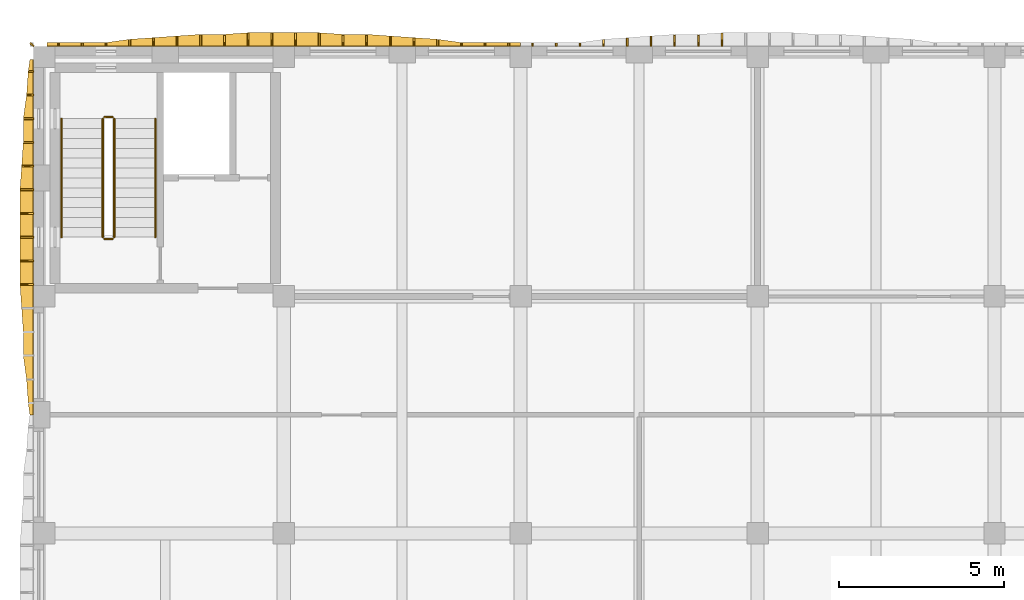
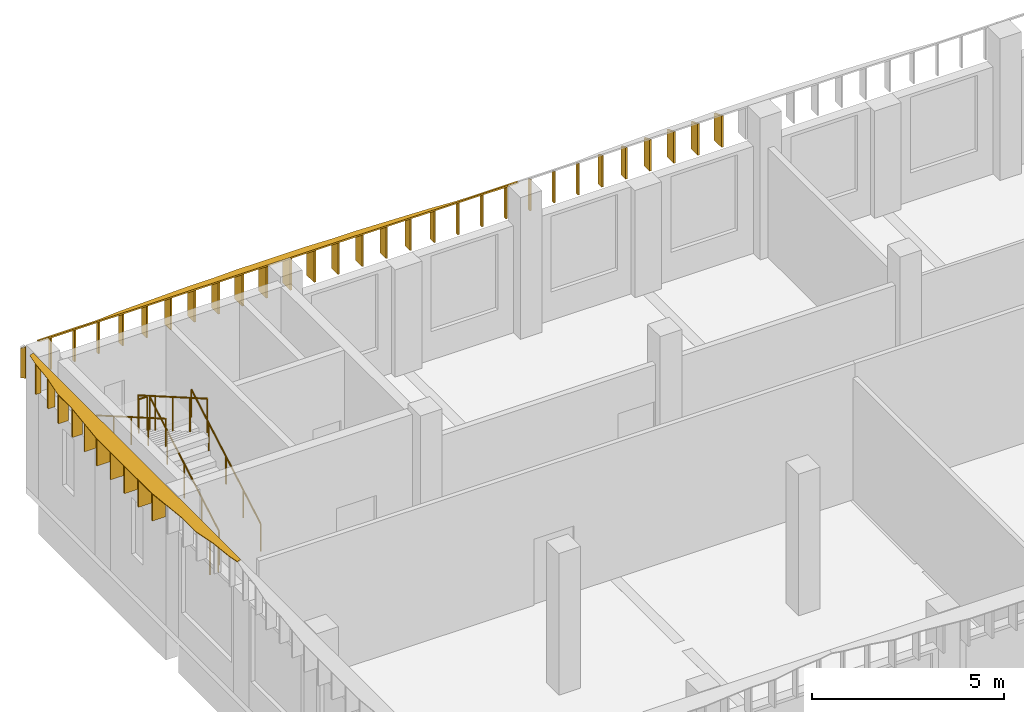
# One storey, part 39 of 54: 42 shading devices, 6 railings.
"""IFC4 building model written with IfcOpenShell, lengths in metres."""

from ifc_helpers import new_model, si_unit, direction, frame, origin, origin_2d, place, context, subcontext, project, spatial, polyline, circle, outline, extrude, material, layer, layer_set, type_object, element, save


model = new_model("IFC4")

# Units and contexts
model_context = context("Model", 3, precision=1e-05, world=origin(), true_north=direction((0.0, 1.0)))
body_context = subcontext(model_context, "Body", "Model", "MODEL_VIEW")
ifc_project = project(units=[si_unit("LENGTHUNIT", "METRE"), si_unit("AREAUNIT", "SQUARE_METRE"), si_unit("VOLUMEUNIT", "CUBIC_METRE"), si_unit("PLANEANGLEUNIT", "RADIAN"), si_unit("MASSUNIT", "GRAM", prefix="KILO")], contexts=[model_context])

# Site, building, storey
site_placement = place(None, origin())
site = spatial("IfcSite", under=ifc_project, at=site_placement, CompositionType="ELEMENT")
building_placement = place(site_placement, origin())
building = spatial("IfcBuilding", under=site, at=building_placement, Name="Ussher Court Research Institute", CompositionType="ELEMENT")
storey_placement = place(building_placement, frame((0.0, 0.0, 14.39990234375)))
storey = spatial("IfcBuildingStorey", under=building, at=storey_placement, Name="L03", CompositionType="ELEMENT", Elevation=14.39990234375)

# Shading devices
ifc_material_1 = material(Name="Bronze anodised aluminium", Category="aluminium")
ifc_layer_1 = layer(ifc_material_1, 0.050048828125)
ifc_layer_set_1 = layer_set([ifc_layer_1], Name="Bronze anodised aluminium")
shading_device_type_1 = type_object("IfcShadingDeviceType", Name="Brim blade 100 mm deep 1000 mm high canted 20 deg dry", PredefinedType="USERDEFINED", material=ifc_layer_set_1)
for number, where, z_axis, x_axis, name in (
    (1, (3.360107421875, 90.800048828125, 3.4501953125), (0.0, 0.0, 1.0), (0.0, 1.0, 0.0), "Brim blade BS17 L03"),
    (2, (4.080078125, 90.800048828125, 3.4501953125), (0.0, 0.0, 1.0), (0.0, 1.0, 0.0), "Brim blade BS17 L03"),
    (3, (4.800048828125, 90.800048828125, 3.4501953125), (0.0, 0.0, 1.0), (0.0, 1.0, 0.0), "Brim blade BS17 L03"),
    (4, (15.60009765625, 90.800048828125, 3.4501953125), (0.0, 0.0, 1.0), (0.0, 1.0, 0.0), "Brim blade BS17 L03"),
    (5, (16.320068359375, 90.800048828125, 3.4501953125), (0.0, 0.0, 1.0), (0.0, 1.0, 0.0), "Brim blade BS17 L03"),
    (6, (17.0400390625, 90.800048828125, 3.4501953125), (0.0, 0.0, 1.0), (0.0, 1.0, 0.0), "Brim blade BS17 L03"),
    (7, (17.760009765625, 90.800048828125, 3.4501953125), (0.0, 0.0, 1.0), (0.0, 1.0, 0.0), "Brim blade BS17 L03"),
    (8, (18.47998046875, 90.800048828125, 3.4501953125), (0.0, 0.0, 1.0), (0.0, 1.0, 0.0), "Brim blade BS17 L03"),
    (9, (19.199951171875, 90.800048828125, 3.4501953125), (0.0, 0.0, 1.0), (0.0, 1.0, 0.0), "Brim blade BS17 L03"),
):
    element("IfcShadingDevice", number, at=place(storey_placement, frame(where, z_axis=z_axis, x_axis=x_axis)), inside=storey, type_object=shading_device_type_1, Name=name, ObjectType="BLADE", PredefinedType="USERDEFINED", context=body_context, shape_type="SweptSolid", body=[
        extrude(outline(polyline([(0.0, 0.0), (0.099853515625, 0.0), (0.10009765625, 0.963623046875), (0.0, 1.0), (0.0, 0.0)])), frame((0.0, 0.02490234375, 0.0), z_axis=(0.0, -1.0, 0.0), x_axis=(1.0, 0.0, 0.0)), (0.0, 0.0, 1.0), 0.050048828125),
    ])
ifc_material_2 = material(Name="Bronze anodised aluminium", Category="aluminium")
ifc_layer_2 = layer(ifc_material_2, 0.050048828125)
ifc_layer_set_2 = layer_set([ifc_layer_2], Name="Bronze anodised aluminium")
shading_device_type_2 = type_object("IfcShadingDeviceType", Name="Brim blade 150 mm deep 1000 mm high canted 20 deg dry", PredefinedType="USERDEFINED", material=ifc_layer_set_2)
shading_device_1_placement = place(storey_placement, frame((2.60009765625, 90.0400390625, 3.4501953125), z_axis=(0.0, 0.0, 1.0), x_axis=(-1.0, 0.0, 0.0)))
element("IfcShadingDevice", 10, at=shading_device_1_placement, inside=storey, type_object=shading_device_type_2, Name="Brim blade BS16 L03", ObjectType="BLADE", PredefinedType="USERDEFINED", context=body_context, shape_type="SweptSolid", body=[
    extrude(outline(polyline([(0.0, 0.0), (0.150146484375, 0.0), (0.14990234375, 0.9453125), (0.0, 1.0), (0.0, 0.0)])), frame((0.0, 0.02490234375, 0.0), z_axis=(0.0, -1.0, 0.0), x_axis=(1.0, 0.0, 0.0)), (0.0, 0.0, 1.0), 0.050048828125),
])
ifc_material_3 = material(Name="Bronze anodised aluminium", Category="aluminium")
ifc_layer_3 = layer(ifc_material_3, 0.050048828125)
ifc_layer_set_3 = layer_set([ifc_layer_3], Name="Bronze anodised aluminium")
shading_device_type_3 = type_object("IfcShadingDeviceType", Name="Brim blade 200 mm deep 1000 mm high canted 20 deg dry", PredefinedType="USERDEFINED", material=ifc_layer_set_3)
for number, where, z_axis, x_axis, name in (
    (11, (5.52001953125, 90.800048828125, 3.4501953125), (0.0, 0.0, 1.0), (0.0, 1.0, 0.0), "Brim blade BS15 L03"),
    (12, (14.8798828125, 90.800048828125, 3.4501953125), (0.0, 0.0, 1.0), (0.0, 1.0, 0.0), "Brim blade BS15 L03"),
    (13, (19.919921875, 90.800048828125, 3.4501953125), (0.0, 0.0, 1.0), (0.0, 1.0, 0.0), "Brim blade BS15 L03"),
):
    element("IfcShadingDevice", number, at=place(storey_placement, frame(where, z_axis=z_axis, x_axis=x_axis)), inside=storey, type_object=shading_device_type_3, Name=name, ObjectType="BLADE", PredefinedType="USERDEFINED", context=body_context, shape_type="SweptSolid", body=[
        extrude(outline(polyline([(0.0, 0.0), (0.199951171875, 0.0), (0.199951171875, 0.927001953125), (0.0, 1.0), (0.0, 0.0)])), frame((0.0, 0.02490234375, 0.0), z_axis=(0.0, -1.0, 0.0), x_axis=(1.0, 0.0, 0.0)), (0.0, 0.0, 1.0), 0.050048828125),
    ])
shading_device_2_placement = place(storey_placement, frame((2.60009765625, 89.320068359375, 3.4501953125), z_axis=(0.0, 0.0, 1.0), x_axis=(-1.0, 0.0, 0.0)))
element("IfcShadingDevice", 14, at=shading_device_2_placement, inside=storey, type_object=shading_device_type_3, Name="Brim blade BS15 L03", ObjectType="BLADE", PredefinedType="USERDEFINED", context=body_context, shape_type="SweptSolid", body=[
    extrude(outline(polyline([(0.0, 0.0), (0.2001953125, 0.0), (0.199951171875, 0.927001953125), (0.0, 1.0), (0.0, 0.0)])), frame((0.0, 0.02490234375, 0.0), z_axis=(0.0, -1.0, 0.0), x_axis=(1.0, 0.0, 0.0)), (0.0, 0.0, 1.0), 0.050048828125),
])
ifc_material_4 = material(Name="Bronze anodised aluminium", Category="aluminium")
ifc_layer_4 = layer(ifc_material_4, 0.050048828125)
ifc_layer_set_4 = layer_set([ifc_layer_4], Name="Bronze anodised aluminium")
shading_device_type_4 = type_object("IfcShadingDeviceType", Name="Brim blade 250 mm deep 1000 mm high canted 20 deg dry", PredefinedType="USERDEFINED", material=ifc_layer_set_4)
for number, where, z_axis, x_axis, name in (
    (15, (6.239990234375, 90.800048828125, 3.4501953125), (0.0, 0.0, 1.0), (0.0, 1.0, 0.0), "Brim blade BS14 L03"),
    (16, (14.159912109375, 90.800048828125, 3.4501953125), (0.0, 0.0, 1.0), (0.0, 1.0, 0.0), "Brim blade BS14 L03"),
    (17, (20.639892578125, 90.800048828125, 3.4501953125), (0.0, 0.0, 1.0), (0.0, 1.0, 0.0), "Brim blade BS14 L03"),
):
    element("IfcShadingDevice", number, at=place(storey_placement, frame(where, z_axis=z_axis, x_axis=x_axis)), inside=storey, type_object=shading_device_type_4, Name=name, ObjectType="BLADE", PredefinedType="USERDEFINED", context=body_context, shape_type="SweptSolid", body=[
        extrude(outline(polyline([(0.0, 0.0), (0.25, 0.0), (0.25, 0.908935546875), (0.0, 1.0), (0.0, 0.0)])), frame((0.0, 0.02490234375, 0.0), z_axis=(0.0, -1.0, 0.0), x_axis=(1.0, 0.0, 0.0)), (0.0, 0.0, 1.0), 0.050048828125),
    ])
ifc_material_5 = material(Name="Bronze anodised aluminium", Category="aluminium")
ifc_layer_5 = layer(ifc_material_5, 0.050048828125)
ifc_layer_set_5 = layer_set([ifc_layer_5], Name="Bronze anodised aluminium")
shading_device_type_5 = type_object("IfcShadingDeviceType", Name="Brim blade 300 mm deep 1000 mm high canted 20 deg dry", PredefinedType="USERDEFINED", material=ifc_layer_set_5)
for number, where, z_axis, x_axis, name in (
    (18, (6.9599609375, 90.800048828125, 3.4501953125), (0.0, 0.0, 1.0), (0.0, 1.0, 0.0), "Brim blade BS13 L03"),
    (19, (13.43994140625, 90.800048828125, 3.4501953125), (0.0, 0.0, 1.0), (0.0, 1.0, 0.0), "Brim blade BS13 L03"),
    (20, (21.360107421875, 90.800048828125, 3.4501953125), (0.0, 0.0, 1.0), (0.0, 1.0, 0.0), "Brim blade BS13 L03"),
    (21, (2.60009765625, 87.8798828125, 3.4501953125), (0.0, 0.0, 1.0), (-1.0, 0.0, 0.0), "Brim blade BS13 L03"),
    (22, (2.60009765625, 88.60009765625, 3.4501953125), (0.0, 0.0, 1.0), (-1.0, 0.0, 0.0), "Brim blade BS13 L03"),
):
    element("IfcShadingDevice", number, at=place(storey_placement, frame(where, z_axis=z_axis, x_axis=x_axis)), inside=storey, type_object=shading_device_type_5, Name=name, ObjectType="BLADE", PredefinedType="USERDEFINED", context=body_context, shape_type="SweptSolid", body=[
        extrude(outline(polyline([(0.0, 0.0), (0.300048828125, 0.0), (0.300048828125, 0.890625), (0.0, 1.0), (0.0, 0.0)])), frame((0.0, 0.02490234375, 0.0), z_axis=(0.0, -1.0, 0.0), x_axis=(1.0, 0.0, 0.0)), (0.0, 0.0, 1.0), 0.050048828125),
    ])
ifc_material_6 = material(Name="Bronze anodised aluminium", Category="aluminium")
ifc_layer_6 = layer(ifc_material_6, 0.050048828125)
ifc_layer_set_6 = layer_set([ifc_layer_6], Name="Bronze anodised aluminium")
shading_device_type_6 = type_object("IfcShadingDeviceType", Name="Brim blade 350 mm deep 1000 mm high canted 20 deg dry", PredefinedType="USERDEFINED", material=ifc_layer_set_6)
for number, where, z_axis, x_axis, name in (
    (23, (7.679931640625, 90.800048828125, 3.4501953125), (0.0, 0.0, 1.0), (0.0, 1.0, 0.0), "Brim blade BS12 L03"),
    (24, (8.39990234375, 90.800048828125, 3.4501953125), (0.0, 0.0, 1.0), (0.0, 1.0, 0.0), "Brim blade BS12 L03"),
    (25, (12.0, 90.800048828125, 3.4501953125), (0.0, 0.0, 1.0), (0.0, 1.0, 0.0), "Brim blade BS12 L03"),
    (26, (12.719970703125, 90.800048828125, 3.4501953125), (0.0, 0.0, 1.0), (0.0, 1.0, 0.0), "Brim blade BS12 L03"),
    (27, (22.080078125, 90.800048828125, 3.4501953125), (0.0, 0.0, 1.0), (0.0, 1.0, 0.0), "Brim blade BS12 L03"),
    (28, (22.800048828125, 90.800048828125, 3.4501953125), (0.0, 0.0, 1.0), (0.0, 1.0, 0.0), "Brim blade BS12 L03"),
):
    element("IfcShadingDevice", number, at=place(storey_placement, frame(where, z_axis=z_axis, x_axis=x_axis)), inside=storey, type_object=shading_device_type_6, Name=name, ObjectType="BLADE", PredefinedType="USERDEFINED", context=body_context, shape_type="SweptSolid", body=[
        extrude(outline(polyline([(0.0, 0.0), (0.349853515625, 0.0), (0.35009765625, 0.87255859375), (0.0, 1.0), (0.0, 0.0)])), frame((0.0, 0.02490234375, 0.0), z_axis=(0.0, -1.0, 0.0), x_axis=(1.0, 0.0, 0.0)), (0.0, 0.0, 1.0), 0.050048828125),
    ])
shading_device_3_placement = place(storey_placement, frame((2.60009765625, 87.159912109375, 3.4501953125), z_axis=(0.0, 0.0, 1.0), x_axis=(-1.0, 0.0, 0.0)))
element("IfcShadingDevice", 29, at=shading_device_3_placement, inside=storey, type_object=shading_device_type_6, Name="Brim blade BS12 L03", ObjectType="BLADE", PredefinedType="USERDEFINED", context=body_context, shape_type="SweptSolid", body=[
    extrude(outline(polyline([(0.0, 0.0), (0.35009765625, 0.0), (0.35009765625, 0.87255859375), (0.0, 1.0), (0.0, 0.0)])), frame((0.0, 0.02490234375, 0.0), z_axis=(0.0, -1.0, 0.0), x_axis=(1.0, 0.0, 0.0)), (0.0, 0.0, 1.0), 0.050048828125),
])
ifc_material_7 = material(Name="Bronze anodised aluminium", Category="aluminium")
ifc_layer_7 = layer(ifc_material_7, 0.050048828125)
ifc_layer_set_7 = layer_set([ifc_layer_7], Name="Bronze anodised aluminium")
shading_device_type_7 = type_object("IfcShadingDeviceType", Name="Brim blade 400 mm deep 1000 mm high canted 20 deg dry", PredefinedType="USERDEFINED", material=ifc_layer_set_7)
for number, where, z_axis, x_axis, name in (
    (30, (9.1201171875, 90.800048828125, 3.4501953125), (0.0, 0.0, 1.0), (0.0, 1.0, 0.0), "Brim blade BS11 L03"),
    (31, (9.840087890625, 90.800048828125, 3.4501953125), (0.0, 0.0, 1.0), (0.0, 1.0, 0.0), "Brim blade BS11 L03"),
    (32, (10.56005859375, 90.800048828125, 3.4501953125), (0.0, 0.0, 1.0), (0.0, 1.0, 0.0), "Brim blade BS11 L03"),
    (33, (11.280029296875, 90.800048828125, 3.4501953125), (0.0, 0.0, 1.0), (0.0, 1.0, 0.0), "Brim blade BS11 L03"),
    (34, (23.52001953125, 90.800048828125, 3.4501953125), (0.0, 0.0, 1.0), (0.0, 1.0, 0.0), "Brim blade BS11 L03"),
):
    element("IfcShadingDevice", number, at=place(storey_placement, frame(where, z_axis=z_axis, x_axis=x_axis)), inside=storey, type_object=shading_device_type_7, Name=name, ObjectType="BLADE", PredefinedType="USERDEFINED", context=body_context, shape_type="SweptSolid", body=[
        extrude(outline(polyline([(0.0, 0.0), (0.39990234375, 0.0), (0.39990234375, 0.854248046875), (0.0, 1.0), (0.0, 0.0)])), frame((0.0, 0.02490234375, 0.0), z_axis=(0.0, -1.0, 0.0), x_axis=(1.0, 0.0, 0.0)), (0.0, 0.0, 1.0), 0.050048828125),
    ])
for number, where, z_axis, x_axis, name in (
    (35, (2.60009765625, 83.56005859375, 3.4501953125), (0.0, 0.0, 1.0), (-1.0, 0.0, 0.0), "Brim blade BS11 L03"),
    (36, (2.60009765625, 84.280029296875, 3.4501953125), (0.0, 0.0, 1.0), (-1.0, 0.0, 0.0), "Brim blade BS11 L03"),
    (37, (2.60009765625, 85.0, 3.4501953125), (0.0, 0.0, 1.0), (-1.0, 0.0, 0.0), "Brim blade BS11 L03"),
    (38, (2.60009765625, 85.719970703125, 3.4501953125), (0.0, 0.0, 1.0), (-1.0, 0.0, 0.0), "Brim blade BS11 L03"),
    (39, (2.60009765625, 86.43994140625, 3.4501953125), (0.0, 0.0, 1.0), (-1.0, 0.0, 0.0), "Brim blade BS11 L03"),
):
    element("IfcShadingDevice", number, at=place(storey_placement, frame(where, z_axis=z_axis, x_axis=x_axis)), inside=storey, type_object=shading_device_type_7, Name=name, ObjectType="BLADE", PredefinedType="USERDEFINED", context=body_context, shape_type="SweptSolid", body=[
        extrude(outline(polyline([(0.0, 0.0), (0.400146484375, 0.0), (0.39990234375, 0.854248046875), (0.0, 1.0), (0.0, 0.0)])), frame((0.0, 0.02490234375, 0.0), z_axis=(0.0, -1.0, 0.0), x_axis=(1.0, 0.0, 0.0)), (0.0, 0.0, 1.0), 0.050048828125),
    ])
ifc_material_8 = material(Name="Bronze anodised aluminium", Category="aluminium")
ifc_layer_8 = layer(ifc_material_8, 0.050048828125)
ifc_layer_set_8 = layer_set([ifc_layer_8], Name="Bronze anodised aluminium")
shading_device_type_8 = type_object("IfcShadingDeviceType", Name="Brim mitre blade 100 mm deep 1000 mm high canted 20 deg dry", PredefinedType="USERDEFINED", material=ifc_layer_set_8)
shading_device_4_placement = place(storey_placement, frame((2.60009765625, 90.800048828125, 3.4501953125), z_axis=(0.0, 0.0, 1.0), x_axis=(-0.707969631694, 0.706242876495, 0.0)))
element("IfcShadingDevice", 40, at=shading_device_4_placement, inside=storey, type_object=shading_device_type_8, Name="Brim mitre blade BS19 L03", ObjectType="BLADE", PredefinedType="USERDEFINED", context=body_context, shape_type="SweptSolid", body=[
    extrude(outline(polyline([(0.0, 0.0), (0.141357421875, 0.0), (0.141357421875, 0.927001953125), (0.0, 1.0), (0.0, 0.0)])), frame((0.0, 0.02490234375, 0.0), z_axis=(0.0, -1.0, 0.0), x_axis=(1.0, 0.0, 0.0)), (0.0, 0.0, 1.0), 0.050048828125),
])
ifc_material_9 = material(Name="Bronze anodised aluminium", Category="aluminium")
ifc_layer_9 = layer(ifc_material_9, 0.0400390625)
ifc_layer_set_9 = layer_set([ifc_layer_9], Name="Bronze anodised aluminium")
shading_device_type_9 = type_object("IfcShadingDeviceType", Name="Brim visor sheet 40 mm canted 20 deg dry", PredefinedType="USERDEFINED", material=ifc_layer_set_9)
shading_device_5_placement = place(storey_placement, frame((3.0, 90.813720703125, 4.48779296875), z_axis=(0.0, 0.342255789242, 0.939606819223), x_axis=(1.0, 0.0, 0.0)))
element("IfcShadingDevice", 41, at=shading_device_5_placement, inside=storey, type_object=shading_device_type_9, Name="Brim visor sheet BR2 L03", ObjectType="BRIM", PredefinedType="USERDEFINED", context=body_context, shape_type="SweptSolid", body=[
    extrude(outline(polyline([(0.0, 0.0), (14.39990234375, 0.0), (14.39990234375, 0.10650266320275441), (14.0400390625, 0.10650266320275441), (13.320068359375, 0.10650266320275441), (12.60009765625, 0.10650266320275441), (11.8798828125, 0.21285948875170477), (11.159912109375, 0.2660690410819343), (10.43994140625, 0.3193621519544592), (9.719970703125, 0.3725717042846887), (9.0, 0.3725717042846887), (8.280029296875, 0.42563541896111423), (7.56005859375, 0.42563541896111423), (6.840087890625, 0.42563541896111423), (6.1201171875, 0.42563541896111423), (5.39990234375, 0.3725717042846887), (4.679931640625, 0.3725717042846887), (3.9599609375, 0.3193621519544592), (3.239990234375, 0.2660690410819343), (2.52001953125, 0.21285948875170477), (1.800048828125, 0.10650266320275441), (1.080078125, 0.10650266320275441), (0.360107421875, 0.10650266320275441), (0.0, 0.10650266320275441), (0.0, 0.0)])), origin(), (0.0, 0.0, -1.0), 0.0400390625),
])
shading_device_6_placement = place(storey_placement, frame((2.586181640625, 79.60009765625, 4.48779296875), z_axis=(-0.342542336127, 0.0, 0.939502393802), x_axis=(0.0, 1.0, 0.0)))
element("IfcShadingDevice", 42, at=shading_device_6_placement, inside=storey, type_object=shading_device_type_9, Name="Brim visor sheet BR2 L03", ObjectType="BRIM", PredefinedType="USERDEFINED", context=body_context, shape_type="SweptSolid", body=[
    extrude(outline(polyline([(0.0, 0.0), (10.7998046875, 0.0), (10.7998046875, 0.10627326346390428), (10.43994140625, 0.1595663947966779), (9.719970703125, 0.21285952612945153), (9.0, 0.3191327895933558), (8.27978515625, 0.3191327895933558), (7.559814453125, 0.3723422924260984), (6.83984375, 0.425635423758872), (6.119873046875, 0.425635423758872), (5.39990234375, 0.425635423758872), (4.679931640625, 0.425635423758872), (3.9599609375, 0.425635423758872), (3.239990234375, 0.3723422924260984), (2.52001953125, 0.3191327895933558), (1.7998046875, 0.3191327895933558), (1.079833984375, 0.21285952612945153), (0.35986328125, 0.1595663947966779), (0.0, 0.10627326346390428), (0.0, 0.0)])), origin(), (0.0, 0.0, -1.0), 0.0400390625),
])

# Railings
ifc_material_10 = material(Name="Painted steel balustrade", Category="steel")
railing_type_1 = type_object("IfcRailingType", Name="Stair guard 1100 steel balustrade", PredefinedType="GUARDRAIL", material=ifc_material_10)
railing_1_placement = place(storey_placement, frame((5.050048828125, 85.0, 0.173095703125)))
element("IfcRailing", 43, at=railing_1_placement, inside=storey, type_object=railing_type_1, Name="L03 D1 stair guard 1", PredefinedType="GUARDRAIL", context=body_context, shape_type="SweptSolid", body=[
    extrude(circle(Radius=0.02392578125, at=origin_2d()), frame((0.0, 0.0, 1.076171875), z_axis=(0.0, 0.866193409371, 0.499708892819), x_axis=(-1.0, 0.0, 0.0)), (0.0, 0.0, 1.0), 4.15625),
    extrude(circle(Radius=0.02099609375, at=origin_2d()), origin(), (0.0, 0.0, 1.0), 1.052001953125),
    extrude(circle(Radius=0.02099609375, at=origin_2d()), frame((0.0, 0.89990234375, 0.519287109375)), (0.0, 0.0, 1.0), 1.052001953125),
    extrude(circle(Radius=0.02099609375, at=origin_2d()), frame((0.0, 1.800048828125, 1.03857421875)), (0.0, 0.0, 1.0), 1.052001953125),
    extrude(circle(Radius=0.02099609375, at=origin_2d()), frame((0.0, 2.7001953125, 1.5576171875)), (0.0, 0.0, 1.0), 1.052001953125),
    extrude(circle(Radius=0.02099609375, at=origin_2d()), frame((0.0, 3.60009765625, 2.076904296875)), (0.0, 0.0, 1.0), 1.052001953125),
])
railing_2_placement = place(storey_placement, frame((5.0, 88.64990234375, 2.25)))
element("IfcRailing", 44, at=railing_2_placement, inside=storey, type_object=railing_type_1, Name="L03 D1 stair guard 2", PredefinedType="GUARDRAIL", context=body_context, shape_type="SweptSolid", body=[
    extrude(circle(Radius=0.02392578125, at=origin_2d()), frame((0.0, 0.0, 1.076171875), z_axis=(-1.0, 0.0, 0.0), x_axis=(0.0, -1.0, 0.0)), (0.0, 0.0, 1.0), 0.25),
    extrude(circle(Radius=0.02099609375, at=origin_2d()), origin(), (0.0, 0.0, 1.0), 1.052001953125),
    extrude(circle(Radius=0.02099609375, at=origin_2d()), frame((-0.25, 0.0, 0.0)), (0.0, 0.0, 1.0), 1.052001953125),
])
railing_3_placement = place(storey_placement, frame((4.699951171875, 88.60009765625, 2.423095703125)))
element("IfcRailing", 45, at=railing_3_placement, inside=storey, type_object=railing_type_1, Name="L03 D1 stair guard 3", PredefinedType="GUARDRAIL", context=body_context, shape_type="SweptSolid", body=[
    extrude(circle(Radius=0.02392578125, at=origin_2d()), frame((0.0, 0.0, 1.076171875), z_axis=(0.0, -0.866193409371, 0.499708892819), x_axis=(1.0, 0.0, 0.0)), (0.0, 0.0, 1.0), 4.15625),
    extrude(circle(Radius=0.02099609375, at=origin_2d()), origin(), (0.0, 0.0, 1.0), 1.052001953125),
    extrude(circle(Radius=0.02099609375, at=origin_2d()), frame((0.0, -0.89990234375, 0.519287109375)), (0.0, 0.0, 1.0), 1.052001953125),
    extrude(circle(Radius=0.02099609375, at=origin_2d()), frame((0.0, -1.800048828125, 1.03857421875)), (0.0, 0.0, 1.0), 1.052001953125),
    extrude(circle(Radius=0.02099609375, at=origin_2d()), frame((0.0, -2.7001953125, 1.5576171875)), (0.0, 0.0, 1.0), 1.052001953125),
    extrude(circle(Radius=0.02099609375, at=origin_2d()), frame((0.0, -3.60009765625, 2.076904296875)), (0.0, 0.0, 1.0), 1.052001953125),
])
railing_4_placement = place(storey_placement, frame((5.0, 84.949951171875, 0.0)))
element("IfcRailing", 46, at=railing_4_placement, inside=storey, type_object=railing_type_1, Name="L03 D1 stair guard 4", PredefinedType="GUARDRAIL", context=body_context, shape_type="SweptSolid", body=[
    extrude(circle(Radius=0.02392578125, at=origin_2d()), frame((0.0, 0.0, 1.076171875), z_axis=(-1.0, 0.0, 0.0), x_axis=(0.0, -1.0, 0.0)), (0.0, 0.0, 1.0), 0.25),
    extrude(circle(Radius=0.02099609375, at=origin_2d()), origin(), (0.0, 0.0, 1.0), 1.052001953125),
    extrude(circle(Radius=0.02099609375, at=origin_2d()), frame((-0.25, 0.0, 0.0)), (0.0, 0.0, 1.0), 1.052001953125),
])
ifc_material_11 = material(Name="Painted steel handrail", Category="steel")
railing_type_2 = type_object("IfcRailingType", Name="Stair handrail 900 steel", PredefinedType="HANDRAIL", material=ifc_material_11)
railing_5_placement = place(storey_placement, frame((6.300048828125, 85.0, 0.173095703125)))
element("IfcRailing", 47, at=railing_5_placement, inside=storey, type_object=railing_type_2, Name="L03 D1 stair handrail 1", PredefinedType="HANDRAIL", context=body_context, shape_type="SweptSolid", body=[
    extrude(circle(Radius=0.02392578125, at=origin_2d()), frame((0.0, 0.0, 0.8759765625), z_axis=(0.0, 0.866193409371, 0.499708892819), x_axis=(-1.0, 0.0, 0.0)), (0.0, 0.0, 1.0), 4.15625),
    extrude(circle(Radius=0.02099609375, at=origin_2d()), origin(), (0.0, 0.0, 1.0), 0.851806640625),
    extrude(circle(Radius=0.02099609375, at=origin_2d()), frame((0.0, 0.89990234375, 0.519287109375)), (0.0, 0.0, 1.0), 0.851806640625),
    extrude(circle(Radius=0.02099609375, at=origin_2d()), frame((0.0, 1.800048828125, 1.03857421875)), (0.0, 0.0, 1.0), 0.851806640625),
    extrude(circle(Radius=0.02099609375, at=origin_2d()), frame((0.0, 2.7001953125, 1.5576171875)), (0.0, 0.0, 1.0), 0.851806640625),
    extrude(circle(Radius=0.02099609375, at=origin_2d()), frame((0.0, 3.60009765625, 2.076904296875)), (0.0, 0.0, 1.0), 0.851806640625),
])
railing_6_placement = place(storey_placement, frame((3.449951171875, 88.60009765625, 2.423095703125)))
element("IfcRailing", 48, at=railing_6_placement, inside=storey, type_object=railing_type_2, Name="L03 D1 stair handrail 2", PredefinedType="HANDRAIL", context=body_context, shape_type="SweptSolid", body=[
    extrude(circle(Radius=0.02392578125, at=origin_2d()), frame((0.0, 0.0, 0.8759765625), z_axis=(0.0, -0.866193409371, 0.499708892819), x_axis=(1.0, 0.0, 0.0)), (0.0, 0.0, 1.0), 4.15625),
    extrude(circle(Radius=0.02099609375, at=origin_2d()), origin(), (0.0, 0.0, 1.0), 0.851806640625),
    extrude(circle(Radius=0.02099609375, at=origin_2d()), frame((0.0, -0.89990234375, 0.519287109375)), (0.0, 0.0, 1.0), 0.851806640625),
    extrude(circle(Radius=0.02099609375, at=origin_2d()), frame((0.0, -1.800048828125, 1.03857421875)), (0.0, 0.0, 1.0), 0.851806640625),
    extrude(circle(Radius=0.02099609375, at=origin_2d()), frame((0.0, -2.7001953125, 1.5576171875)), (0.0, 0.0, 1.0), 0.851806640625),
    extrude(circle(Radius=0.02099609375, at=origin_2d()), frame((0.0, -3.60009765625, 2.076904296875)), (0.0, 0.0, 1.0), 0.851806640625),
])

save(model, "model.ifc")
